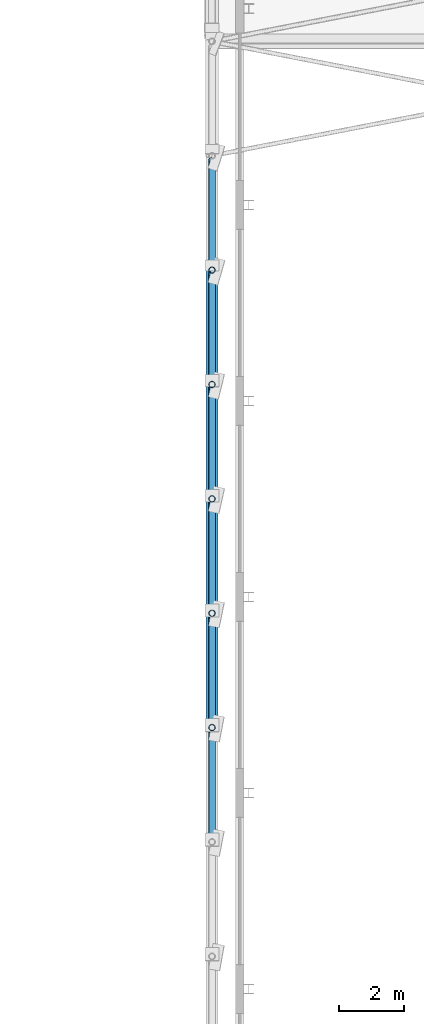
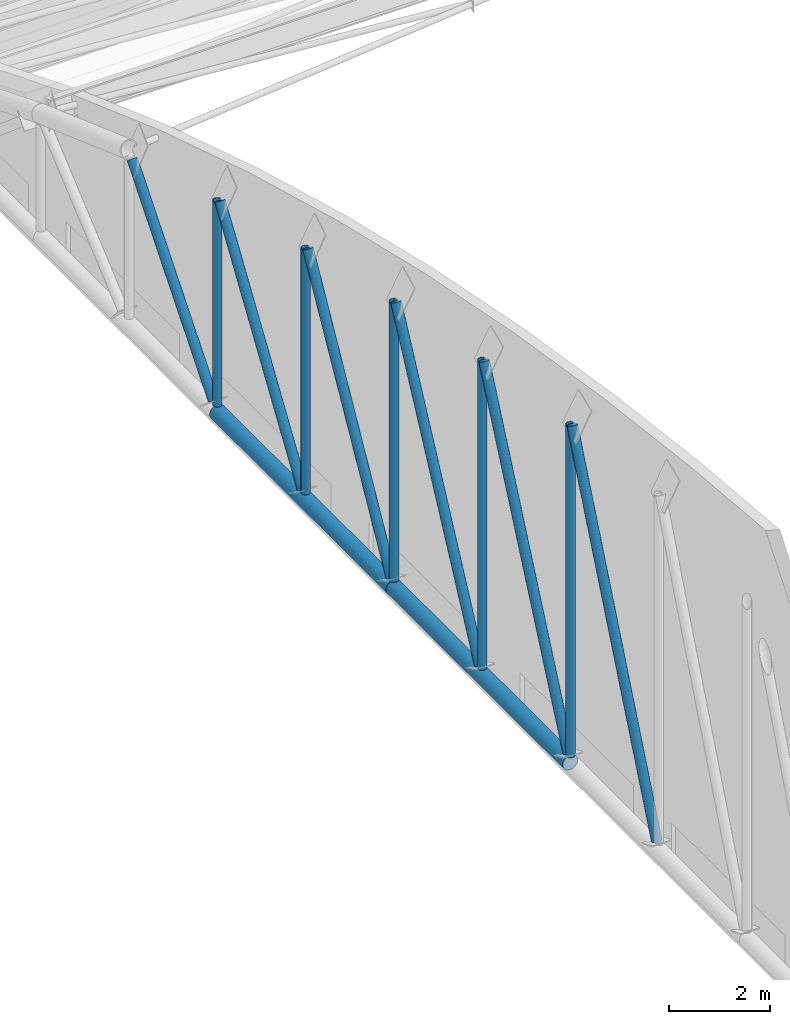
# One storey, part 63 of 196: 13 members.
"""IFC4 building model written with IfcOpenShell, lengths in metres."""

from ifc_helpers import new_model, si_unit, direction, frame, origin, origin_2d, place, context, subcontext, project, spatial, hollow_circle, extrude, material, material_profile, profile_set, type_object, element, save


model = new_model("IFC4")

# Units and contexts
model_context = context("Model", 3, precision=1e-05, world=origin(), true_north=direction((0.0, 1.0)))
body_context = subcontext(model_context, "Body", "Model", "MODEL_VIEW")
ifc_project = project(units=[si_unit("LENGTHUNIT", "METRE"), si_unit("AREAUNIT", "SQUARE_METRE"), si_unit("VOLUMEUNIT", "CUBIC_METRE"), si_unit("PLANEANGLEUNIT", "RADIAN"), si_unit("MASSUNIT", "GRAM", prefix="KILO")], contexts=[model_context])

# Site, building, storey
site_placement = place(None, origin())
site = spatial("IfcSite", under=ifc_project, at=site_placement, CompositionType="ELEMENT")
building_placement = place(site_placement, origin())
building = spatial("IfcBuilding", under=site, at=building_placement, Name="Okhra Congress Centre", CompositionType="ELEMENT")
storey_placement = place(building_placement, frame((0.0, 0.0, 12.0)))
storey = spatial("IfcBuildingStorey", under=building, at=storey_placement, Name="L02", CompositionType="ELEMENT", Elevation=12.0)

# Members
ifc_material = material(Name="Steel S355J2H", Category="steel")
ifc_material_profile_1 = material_profile(ifc_material, hollow_circle(Radius=0.096923828125, WallThickness=0.012451171875, at=origin_2d()), Name="CHS 193.7x12.5")
ifc_profile_set_1 = profile_set([ifc_material_profile_1], Name="Steel S355J2H")
member_type_1 = type_object("IfcMemberType", Name="CHS 193.7x12.5", PredefinedType="POST", material=ifc_profile_set_1)
member_1_placement = place(storey_placement, frame((28.0, 202.0, 1.577880859375), z_axis=(0.0, 0.0, 1.0), x_axis=(1.0, 0.0, 0.0)))
element("IfcMember", 1, at=member_1_placement, inside=storey, type_object=member_type_1, Name="EH.MEM.L02.T1-VER-20", PredefinedType="POST", context=body_context, shape_type="SweptSolid", body=[
    extrude(hollow_circle(Radius=0.096923828125, WallThickness=0.012451171875, at=origin_2d()), origin(), (0.0, 0.0, 1.0), 4.947998046875),
])
ifc_material_profile_2 = material_profile(ifc_material, hollow_circle(Radius=0.096923828125, WallThickness=0.008056640625, at=origin_2d()), Name="CHS 193.7x8.0")
ifc_profile_set_2 = profile_set([ifc_material_profile_2], Name="Steel S355J2H")
member_type_2 = type_object("IfcMemberType", Name="CHS 193.7x8.0", PredefinedType="POST", material=ifc_profile_set_2)
member_2_placement = place(storey_placement, frame((28.0, 188.0, 1.577880859375), z_axis=(0.0, 0.0, 1.0), x_axis=(1.0, 0.0, 0.0)))
element("IfcMember", 2, at=member_2_placement, inside=storey, type_object=member_type_2, Name="EH.MEM.L02.T1-VER-16", PredefinedType="POST", context=body_context, shape_type="SweptSolid", body=[
    extrude(hollow_circle(Radius=0.096923828125, WallThickness=0.008056640625, at=origin_2d()), origin(), (0.0, 0.0, 1.0), 8.01708984375),
])
member_3_placement = place(storey_placement, frame((28.0, 191.5, 1.577880859375), z_axis=(0.0, 0.0, 1.0), x_axis=(1.0, 0.0, 0.0)))
element("IfcMember", 3, at=member_3_placement, inside=storey, type_object=member_type_2, Name="EH.MEM.L02.T1-VER-17", PredefinedType="POST", context=body_context, shape_type="SweptSolid", body=[
    extrude(hollow_circle(Radius=0.096923828125, WallThickness=0.008056640625, at=origin_2d()), origin(), (0.0, 0.0, 1.0), 7.448974609375),
])
member_4_placement = place(storey_placement, frame((28.0, 195.0, 1.577880859375), z_axis=(0.0, 0.0, 1.0), x_axis=(1.0, 0.0, 0.0)))
element("IfcMember", 4, at=member_4_placement, inside=storey, type_object=member_type_2, Name="EH.MEM.L02.T1-VER-18", PredefinedType="POST", context=body_context, shape_type="SweptSolid", body=[
    extrude(hollow_circle(Radius=0.096923828125, WallThickness=0.008056640625, at=origin_2d()), origin(), (0.0, 0.0, 1.0), 6.750244140625),
])
member_5_placement = place(storey_placement, frame((28.0, 198.5, 1.577880859375), z_axis=(0.0, 0.0, 1.0), x_axis=(1.0, 0.0, 0.0)))
element("IfcMember", 5, at=member_5_placement, inside=storey, type_object=member_type_2, Name="EH.MEM.L02.T1-VER-19", PredefinedType="POST", context=body_context, shape_type="SweptSolid", body=[
    extrude(hollow_circle(Radius=0.096923828125, WallThickness=0.008056640625, at=origin_2d()), origin(), (0.0, 0.0, 1.0), 5.917724609375),
])
ifc_material_profile_3 = material_profile(ifc_material, hollow_circle(Radius=0.109619140625, WallThickness=0.010009765625, at=origin_2d()), Name="CHS 219.1x10.0")
ifc_profile_set_3 = profile_set([ifc_material_profile_3], Name="Steel S355J2H")
member_type_3 = type_object("IfcMemberType", Name="CHS 219.1x10.0", PredefinedType="BRACE", material=ifc_profile_set_3)
member_6_placement = place(storey_placement, frame((28.0, 187.926513671875, 9.6240234375), z_axis=(0.0, -0.384613395842, -0.92307775173), x_axis=(1.0, 0.0, 0.0)))
element("IfcMember", 6, at=member_6_placement, inside=storey, type_object=member_type_3, Name="EH.MEM.L02.T1-DIA-15", PredefinedType="BRACE", context=body_context, shape_type="SweptSolid", body=[
    extrude(hollow_circle(Radius=0.109619140625, WallThickness=0.010009765625, at=origin_2d()), origin(), (0.0, 0.0, 1.0), 8.716552734375),
])
member_7_placement = place(storey_placement, frame((28.0, 191.42236328125, 9.0595703125), z_axis=(0.0, -0.407953800593, -0.913002572057), x_axis=(1.0, 0.0, 0.0)))
element("IfcMember", 7, at=member_7_placement, inside=storey, type_object=member_type_3, Name="EH.MEM.L02.T1-DIA-16", PredefinedType="BRACE", context=body_context, shape_type="SweptSolid", body=[
    extrude(hollow_circle(Radius=0.109619140625, WallThickness=0.010009765625, at=origin_2d()), origin(), (0.0, 0.0, 1.0), 8.194580078125),
])
member_8_placement = place(storey_placement, frame((28.0, 194.916259765625, 8.365234375), z_axis=(0.0, -0.440367038805, -0.897817838503), x_axis=(1.0, 0.0, 0.0)))
element("IfcMember", 8, at=member_8_placement, inside=storey, type_object=member_type_3, Name="EH.MEM.L02.T1-DIA-17", PredefinedType="BRACE", context=body_context, shape_type="SweptSolid", body=[
    extrude(hollow_circle(Radius=0.109619140625, WallThickness=0.010009765625, at=origin_2d()), origin(), (0.0, 0.0, 1.0), 7.559814453125),
])
member_9_placement = place(storey_placement, frame((28.0, 198.4072265625, 7.538330078125), z_axis=(0.0, -0.485332749729, -0.874329527147), x_axis=(1.0, 0.0, 0.0)))
element("IfcMember", 9, at=member_9_placement, inside=storey, type_object=member_type_3, Name="EH.MEM.L02.T1-DIA-18", PredefinedType="BRACE", context=body_context, shape_type="SweptSolid", body=[
    extrude(hollow_circle(Radius=0.109619140625, WallThickness=0.010009765625, at=origin_2d()), origin(), (0.0, 0.0, 1.0), 6.817138671875),
])
ifc_material_profile_4 = material_profile(ifc_material, hollow_circle(Radius=0.109619140625, WallThickness=0.012451171875, at=origin_2d()), Name="CHS 219.1x12.5")
ifc_profile_set_4 = profile_set([ifc_material_profile_4], Name="Steel S355J2H")
member_type_4 = type_object("IfcMemberType", Name="CHS 219.1x12.5", PredefinedType="BRACE", material=ifc_profile_set_4)
member_10_placement = place(storey_placement, frame((28.0, 201.89404296875, 6.576416015625), z_axis=(0.0, -0.548312008951, -0.836273843211), x_axis=(1.0, 0.0, 0.0)))
element("IfcMember", 10, at=member_10_placement, inside=storey, type_object=member_type_4, Name="EH.MEM.L02.T1-DIA-19", PredefinedType="BRACE", context=body_context, shape_type="SweptSolid", body=[
    extrude(hollow_circle(Radius=0.109619140625, WallThickness=0.012451171875, at=origin_2d()), origin(), (0.0, 0.0, 1.0), 5.97705078125),
])
member_11_placement = place(storey_placement, frame((28.0, 205.373779296875, 5.476318359375), z_axis=(0.0, -0.637599309049, -0.770368172435), x_axis=(1.0, 0.0, 0.0)))
element("IfcMember", 11, at=member_11_placement, inside=storey, type_object=member_type_4, Name="EH.MEM.L02.T1-DIA-20", PredefinedType="BRACE", context=body_context, shape_type="SweptSolid", body=[
    extrude(hollow_circle(Radius=0.109619140625, WallThickness=0.012451171875, at=origin_2d()), origin(), (0.0, 0.0, 1.0), 5.060546875),
])
ifc_material_profile_5 = material_profile(ifc_material, hollow_circle(Radius=0.177734375, WallThickness=0.01611328125, at=origin_2d()), Name="CHS 355.6x16.0")
ifc_profile_set_5 = profile_set([ifc_material_profile_5], Name="Steel S355J2H")
member_type_5 = type_object("IfcMemberType", Name="CHS 355.6x16.0", PredefinedType="CHORD", material=ifc_profile_set_5)
for number, where, z_axis, x_axis, name in (
    (12, (28.0, 188.0, 1.39990234375), (0.0, 1.0, 0.0), (-1.0, 0.0, 0.0), "EH.MEM.L02.T1-BOT-09"),
    (13, (28.0, 195.0, 1.39990234375), (0.0, 1.0, 0.0), (-1.0, 0.0, 0.0), "EH.MEM.L02.T1-BOT-10"),
):
    element("IfcMember", number, at=place(storey_placement, frame(where, z_axis=z_axis, x_axis=x_axis)), inside=storey, type_object=member_type_5, Name=name, PredefinedType="CHORD", context=body_context, shape_type="SweptSolid", body=[
        extrude(hollow_circle(Radius=0.177734375, WallThickness=0.01611328125, at=origin_2d()), origin(), (0.0, 0.0, 1.0), 7.0),
    ])

save(model, "model.ifc")
